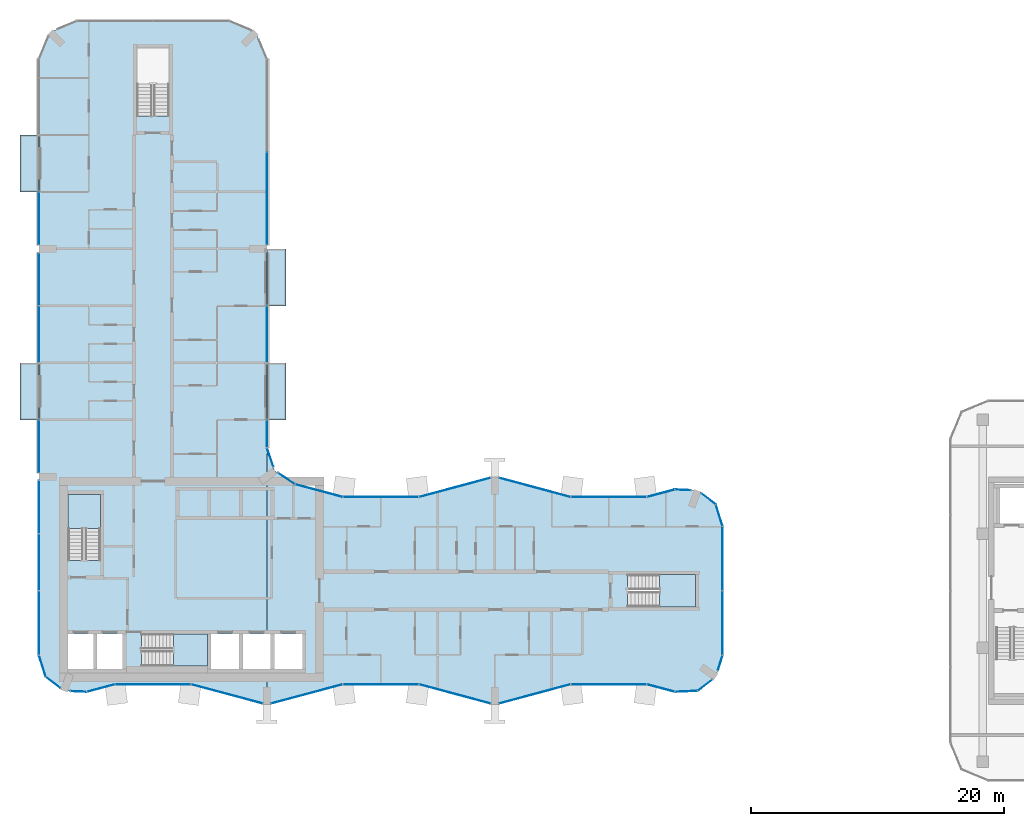
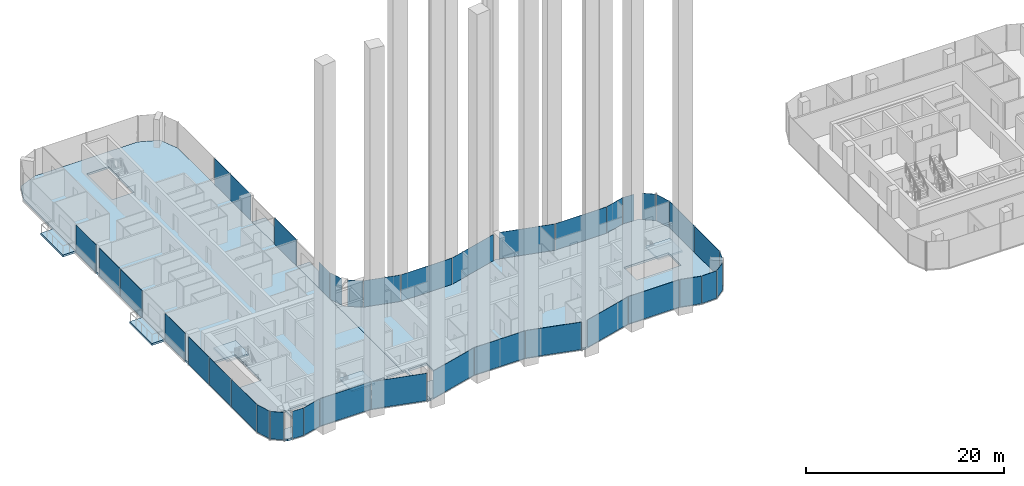
# One storey, part 11 of 27: 38 plates, 9 slabs, 37 elements without a shape of their own.
"""IFC4 building model written with IfcOpenShell, lengths in metres."""

from ifc_helpers import new_model, si_unit, direction, frame, origin, origin_2d, place, context, subcontext, project, spatial, polyline, rectangle, outline, extrude, material, layer, layer_set, type_object, element, aggregate, save


model = new_model("IFC4")

# Units and contexts
model_context = context("Model", 3, precision=1e-05, world=origin(), true_north=direction((0.0, 1.0)))
body_context = subcontext(model_context, "Body", "Model", "MODEL_VIEW")
ifc_project = project(units=[si_unit("LENGTHUNIT", "METRE"), si_unit("AREAUNIT", "SQUARE_METRE"), si_unit("VOLUMEUNIT", "CUBIC_METRE"), si_unit("PLANEANGLEUNIT", "RADIAN"), si_unit("MASSUNIT", "GRAM", prefix="KILO")], contexts=[model_context])

# Site, building, storey
site_placement = place(None, origin())
site = spatial("IfcSite", under=ifc_project, at=site_placement, CompositionType="ELEMENT")
building_placement = place(site_placement, origin())
building = spatial("IfcBuilding", under=site, at=building_placement, Name="Plateau Cross Towers", CompositionType="ELEMENT")
storey_placement = place(building_placement, frame((0.0, 0.0, 78.300048828125)))
storey = spatial("IfcBuildingStorey", under=building, at=storey_placement, Name="L19", CompositionType="ELEMENT", Elevation=78.300048828125)

# Slabs
ifc_material_1 = material(Name="Concrete C40/50", Category="concrete")
ifc_layer_1 = layer(ifc_material_1, 0.25)
ifc_layer_set_1 = layer_set([ifc_layer_1], Name="Concrete C40/50")
slab_type_1 = type_object("IfcSlabType", Name="Balcony slab 250", PredefinedType="FLOOR", material=ifc_layer_set_1)
slab_1_placement = place(storey_placement, frame((0.0, 0.0, -0.25)))
element("IfcSlab", 1, at=slab_1_placement, inside=storey, type_object=slab_type_1, Name="Balcony slab A-BAL-L19-01", PredefinedType="FLOOR", context=body_context, shape_type="SweptSolid", body=[
    extrude(outline(polyline([(0.0, 22.5), (0.0, 27.0), (-1.5, 27.0), (-1.5, 22.5), (0.0, 22.5)])), origin(), (0.0, 0.0, 1.0), 0.25),
])
slab_2_placement = place(storey_placement, frame((0.0, 0.0, -0.25)))
element("IfcSlab", 2, at=slab_2_placement, inside=storey, type_object=slab_type_1, Name="Balcony slab A-BAL-L19-02", PredefinedType="FLOOR", context=body_context, shape_type="SweptSolid", body=[
    extrude(outline(polyline([(0.0, 40.5), (0.0, 45.0), (-1.5, 45.0), (-1.5, 40.5), (0.0, 40.5)])), origin(), (0.0, 0.0, 1.0), 0.25),
])
slab_3_placement = place(storey_placement, frame((0.0, 0.0, -0.25)))
element("IfcSlab", 3, at=slab_3_placement, inside=storey, type_object=slab_type_1, Name="Balcony slab A-BAL-L19-03", PredefinedType="FLOOR", context=body_context, shape_type="SweptSolid", body=[
    extrude(outline(polyline([(19.5, 22.5), (19.5, 27.0), (18.0, 27.0), (18.0, 22.5), (19.5, 22.5)])), origin(), (0.0, 0.0, 1.0), 0.25),
])
slab_4_placement = place(storey_placement, frame((0.0, 0.0, -0.25)))
element("IfcSlab", 4, at=slab_4_placement, inside=storey, type_object=slab_type_1, Name="Balcony slab A-BAL-L19-04", PredefinedType="FLOOR", context=body_context, shape_type="SweptSolid", body=[
    extrude(outline(polyline([(19.5, 31.5), (19.5, 36.0), (18.0, 36.0), (18.0, 31.5), (19.5, 31.5)])), origin(), (0.0, 0.0, 1.0), 0.25),
])

# Curtain wall, plate
ifc_material_2 = material(Name="Dark low-iron glass", Category="glass")
ifc_layer_2 = layer(ifc_material_2, 0.239990234375)
ifc_layer_set_2 = layer_set([ifc_layer_2], Name="Dark low-iron glass")
curtain_wall_type_1 = type_object("IfcCurtainWallType", Name="Curtain wall flush unitised CW-B", PredefinedType="NOTDEFINED", material=ifc_layer_set_2)
curtain_wall_1_placement = place(storey_placement, origin())
curtain_wall_1 = element("IfcCurtainWall", 5, at=curtain_wall_1_placement, inside=storey, type_object=curtain_wall_type_1, Name="ENV/A/L19/A502_10", PredefinedType="NOTDEFINED")
ifc_layer_3 = layer(ifc_material_2, 0.031982421875)
ifc_layer_set_3 = layer_set([ifc_layer_3], Name="Dark low-iron glass")
plate_type_1 = type_object("IfcPlateType", Name="Glass panel 32 flush unitised", PredefinedType="CURTAIN_PANEL", material=ifc_layer_set_3)
plate_1_placement = place(storey_placement, frame((51.125, 1.05078125, -0.1298828125), z_axis=(0.0, 0.0, 1.0), x_axis=(0.999043701491, 0.043722791671, 0.0)))
plate_1 = element("IfcPlate", 6, at=plate_1_placement, type_object=plate_type_1, Name="CW-B panel 1", PredefinedType="CURTAIN_PANEL", context=body_context, shape_type="SweptSolid", body=[
    extrude(rectangle(XDim=1.744140625, YDim=0.031982421875, at=origin_2d()), origin(), (0.0, 0.0, 1.0), 3.3798828125),
])
aggregate(curtain_wall_1, [plate_1])

curtain_wall_2_placement = place(storey_placement, origin())
curtain_wall_2 = element("IfcCurtainWall", 7, at=curtain_wall_2_placement, inside=storey, type_object=curtain_wall_type_1, Name="ENV/A/L19/A520_11", PredefinedType="NOTDEFINED")
plate_2_placement = place(storey_placement, frame((52.60986328125, 1.5380859375, -0.1298828125), z_axis=(0.0, 0.0, 1.0), x_axis=(0.793315514529, 0.608810721331, 0.0)))
plate_2 = element("IfcPlate", 8, at=plate_2_placement, type_object=plate_type_1, Name="CW-B panel 1", PredefinedType="CURTAIN_PANEL", context=body_context, shape_type="SweptSolid", body=[
    extrude(rectangle(XDim=1.41162109375, YDim=0.031982421875, at=origin_2d()), origin(), (0.0, 0.0, 1.0), 3.3798828125),
])
aggregate(curtain_wall_2, [plate_2])

curtain_wall_3_placement = place(storey_placement, origin())
curtain_wall_3 = element("IfcCurtainWall", 9, at=curtain_wall_3_placement, inside=storey, type_object=curtain_wall_type_1, Name="ENV/A/L19/A536_27", PredefinedType="NOTDEFINED")
plate_3_placement = place(storey_placement, frame((53.805419921875, 3.292236328125, -0.1298828125), z_axis=(0.0, 0.0, 1.0), x_axis=(0.300686174994, 0.95372313811, 0.0)))
plate_3 = element("IfcPlate", 10, at=plate_3_placement, type_object=plate_type_1, Name="CW-B panel 1", PredefinedType="CURTAIN_PANEL", context=body_context, shape_type="SweptSolid", body=[
    extrude(rectangle(XDim=1.233642578125, YDim=0.031982421875, at=origin_2d()), origin(), (0.0, 0.0, 1.0), 3.3798828125),
])
aggregate(curtain_wall_3, [plate_3])

# Curtain wall, plates
curtain_wall_4_placement = place(storey_placement, origin())
curtain_wall_4 = element("IfcCurtainWall", 11, at=curtain_wall_4_placement, inside=storey, type_object=curtain_wall_type_1, Name="ENV/A/L19/A540_39", PredefinedType="NOTDEFINED")
plate_4_placement = place(storey_placement, frame((54.0, 6.45458984375, -0.1298828125), z_axis=(0.0, 0.0, 1.0), x_axis=(0.0, 1.0, 0.0)))
plate_4 = element("IfcPlate", 12, at=plate_4_placement, type_object=plate_type_1, Name="CW-B panel 1", PredefinedType="CURTAIN_PANEL", context=body_context, shape_type="SweptSolid", body=[
    extrude(rectangle(XDim=5.03076171875, YDim=0.031982421875, at=origin_2d()), origin(), (0.0, 0.0, 1.0), 3.3798828125),
])
plate_5_placement = place(storey_placement, frame((54.0, 11.54541015625, -0.1298828125), z_axis=(0.0, 0.0, 1.0), x_axis=(0.0, 1.0, 0.0)))
plate_5 = element("IfcPlate", 13, at=plate_5_placement, type_object=plate_type_1, Name="CW-B panel 2", PredefinedType="CURTAIN_PANEL", context=body_context, shape_type="SweptSolid", body=[
    extrude(rectangle(XDim=5.03076171875, YDim=0.031982421875, at=origin_2d()), origin(), (0.0, 0.0, 1.0), 3.3798828125),
])
aggregate(curtain_wall_4, [plate_4, plate_5])

# Curtain wall, plate
curtain_wall_5_placement = place(storey_placement, origin())
curtain_wall_5 = element("IfcCurtainWall", 14, at=curtain_wall_5_placement, inside=storey, type_object=curtain_wall_type_1, Name="ENV/A/L19/A540_141", PredefinedType="NOTDEFINED")
plate_6_placement = place(storey_placement, frame((53.728759765625, 14.951171875, -0.1298828125), z_axis=(0.0, 0.0, 1.0), x_axis=(-0.300686174994, 0.95372313811, 0.0)))
plate_6 = element("IfcPlate", 15, at=plate_6_placement, type_object=plate_type_1, Name="CW-B panel 1", PredefinedType="CURTAIN_PANEL", context=body_context, shape_type="SweptSolid", body=[
    extrude(rectangle(XDim=1.744140625, YDim=0.031982421875, at=origin_2d()), origin(), (0.0, 0.0, 1.0), 3.3798828125),
])
aggregate(curtain_wall_5, [plate_6])

curtain_wall_6_placement = place(storey_placement, origin())
curtain_wall_6 = element("IfcCurtainWall", 16, at=curtain_wall_6_placement, inside=storey, type_object=curtain_wall_type_1, Name="ENV/A/L19/A535_158", PredefinedType="NOTDEFINED")
plate_7_placement = place(storey_placement, frame((52.873779296875, 16.25927734375, -0.1298828125), z_axis=(0.0, 0.0, 1.0), x_axis=(-0.793315514529, 0.608810721331, 0.0)))
plate_7 = element("IfcPlate", 17, at=plate_7_placement, type_object=plate_type_1, Name="CW-B panel 1", PredefinedType="CURTAIN_PANEL", context=body_context, shape_type="SweptSolid", body=[
    extrude(rectangle(XDim=1.41162109375, YDim=0.031982421875, at=origin_2d()), origin(), (0.0, 0.0, 1.0), 3.3798828125),
])
aggregate(curtain_wall_6, [plate_7])

curtain_wall_7_placement = place(storey_placement, origin())
curtain_wall_7 = element("IfcCurtainWall", 18, at=curtain_wall_7_placement, inside=storey, type_object=curtain_wall_type_1, Name="ENV/A/L19/A515_169", PredefinedType="NOTDEFINED")
plate_8_placement = place(storey_placement, frame((50.8701171875, 16.96044921875, -0.1298828125), z_axis=(0.0, 0.0, 1.0), x_axis=(-0.999043701491, 0.043722791671, 0.0)))
plate_8 = element("IfcPlate", 19, at=plate_8_placement, type_object=plate_type_1, Name="CW-B panel 1", PredefinedType="CURTAIN_PANEL", context=body_context, shape_type="SweptSolid", body=[
    extrude(rectangle(XDim=1.233642578125, YDim=0.031982421875, at=origin_2d()), origin(), (0.0, 0.0, 1.0), 3.3798828125),
])
aggregate(curtain_wall_7, [plate_8])

curtain_wall_8_placement = place(storey_placement, origin())
curtain_wall_8 = element("IfcCurtainWall", 20, at=curtain_wall_8_placement, inside=storey, type_object=curtain_wall_type_1, Name="ENV/A/L19/A202_174", PredefinedType="NOTDEFINED")
plate_9_placement = place(storey_placement, frame((19.546630859375, 17.856689453125, -0.1298828125), z_axis=(0.0, 0.0, 1.0), x_axis=(-0.831521253329, 0.555492938984, 0.0)))
plate_9 = element("IfcPlate", 21, at=plate_9_placement, type_object=plate_type_1, Name="CW-B panel 1", PredefinedType="CURTAIN_PANEL", context=body_context, shape_type="SweptSolid", body=[
    extrude(rectangle(XDim=1.56884765625, YDim=0.031982421875, at=origin_2d()), origin(), (0.0, 0.0, 1.0), 3.3798828125),
])
aggregate(curtain_wall_8, [plate_9])

curtain_wall_9_placement = place(storey_placement, origin())
curtain_wall_9 = element("IfcCurtainWall", 22, at=curtain_wall_9_placement, inside=storey, type_object=curtain_wall_type_1, Name="ENV/A/L19/A185_188", PredefinedType="NOTDEFINED")
plate_10_placement = place(storey_placement, frame((18.26171875, 19.531005859375, -0.1298828125), z_axis=(0.0, 0.0, 1.0), x_axis=(-0.321469161574, 0.94692004845, 0.0)))
plate_10 = element("IfcPlate", 23, at=plate_10_placement, type_object=plate_type_1, Name="CW-B panel 1", PredefinedType="CURTAIN_PANEL", context=body_context, shape_type="SweptSolid", body=[
    extrude(rectangle(XDim=1.56884765625, YDim=0.031982421875, at=origin_2d()), origin(), (0.0, 0.0, 1.0), 3.3798828125),
])
aggregate(curtain_wall_9, [plate_10])

curtain_wall_10_placement = place(storey_placement, origin())
curtain_wall_10 = element("IfcCurtainWall", 24, at=curtain_wall_10_placement, inside=storey, type_object=curtain_wall_type_1, Name="ENV/A/L19/A180_203", PredefinedType="NOTDEFINED")
plate_11_placement = place(storey_placement, frame((18.0, 21.396240234375, -0.1298828125), z_axis=(0.0, 0.0, 1.0), x_axis=(0.0, 1.0, 0.0)))
plate_11 = element("IfcPlate", 25, at=plate_11_placement, type_object=plate_type_1, Name="CW-B panel 1", PredefinedType="CURTAIN_PANEL", context=body_context, shape_type="SweptSolid", body=[
    extrude(rectangle(XDim=2.127685546875, YDim=0.031982421875, at=origin_2d()), origin(), (0.0, 0.0, 1.0), 3.3798828125),
])
aggregate(curtain_wall_10, [plate_11])

curtain_wall_11_placement = place(storey_placement, origin())
curtain_wall_11 = element("IfcCurtainWall", 26, at=curtain_wall_11_placement, inside=storey, type_object=curtain_wall_type_1, Name="ENV/A/L19/A180_270", PredefinedType="NOTDEFINED")
plate_12_placement = place(storey_placement, frame((18.0, 29.25, -0.1298828125), z_axis=(0.0, 0.0, 1.0), x_axis=(0.0, 1.0, 0.0)))
plate_12 = element("IfcPlate", 27, at=plate_12_placement, type_object=plate_type_1, Name="CW-B panel 1", PredefinedType="CURTAIN_PANEL", context=body_context, shape_type="SweptSolid", body=[
    extrude(rectangle(XDim=4.419921875, YDim=0.031982421875, at=origin_2d()), origin(), (0.0, 0.0, 1.0), 3.3798828125),
])
aggregate(curtain_wall_11, [plate_12])

curtain_wall_12_placement = place(storey_placement, origin())
curtain_wall_12 = element("IfcCurtainWall", 28, at=curtain_wall_12_placement, inside=storey, type_object=curtain_wall_type_1, Name="ENV/A/L19/A180_363", PredefinedType="NOTDEFINED")
plate_13_placement = place(storey_placement, frame((18.0, 39.97509765625, -0.1298828125), z_axis=(0.0, 0.0, 1.0), x_axis=(0.0, 1.0, 0.0)))
plate_13 = element("IfcPlate", 29, at=plate_13_placement, type_object=plate_type_1, Name="CW-B panel 1", PredefinedType="CURTAIN_PANEL", context=body_context, shape_type="SweptSolid", body=[
    extrude(rectangle(XDim=7.2900390625, YDim=0.031982421875, at=origin_2d()), origin(), (0.0, 0.0, 1.0), 3.3798828125),
])
aggregate(curtain_wall_12, [plate_13])

curtain_wall_13_placement = place(storey_placement, origin())
curtain_wall_13 = element("IfcCurtainWall", 30, at=curtain_wall_13_placement, inside=storey, type_object=curtain_wall_type_1, Name="ENV/A/L19/A0_405", PredefinedType="NOTDEFINED")
plate_14_placement = place(storey_placement, frame((0.0, 38.39501953125, -0.1298828125), z_axis=(0.0, 0.0, 1.0), x_axis=(0.0, -1.0, 0.0)))
plate_14 = element("IfcPlate", 31, at=plate_14_placement, type_object=plate_type_1, Name="CW-B panel 1", PredefinedType="CURTAIN_PANEL", context=body_context, shape_type="SweptSolid", body=[
    extrude(rectangle(XDim=4.1298828125, YDim=0.031982421875, at=origin_2d()), origin(), (0.0, 0.0, 1.0), 3.3798828125),
])
aggregate(curtain_wall_13, [plate_14])

# Curtain wall, plates
curtain_wall_14_placement = place(storey_placement, origin())
curtain_wall_14 = element("IfcCurtainWall", 32, at=curtain_wall_14_placement, inside=storey, type_object=curtain_wall_type_1, Name="ENV/A/L19/A0_357", PredefinedType="NOTDEFINED")
plate_15_placement = place(storey_placement, frame((0.0, 33.60009765625, -0.1298828125), z_axis=(0.0, 0.0, 1.0), x_axis=(0.0, -1.0, 0.0)))
plate_15 = element("IfcPlate", 33, at=plate_15_placement, type_object=plate_type_1, Name="CW-B panel 1", PredefinedType="CURTAIN_PANEL", context=body_context, shape_type="SweptSolid", body=[
    extrude(rectangle(XDim=4.139892578125, YDim=0.031982421875, at=origin_2d()), origin(), (0.0, 0.0, 1.0), 3.3798828125),
])
plate_16_placement = place(storey_placement, frame((0.0, 29.2548828125, -0.1298828125), z_axis=(0.0, 0.0, 1.0), x_axis=(0.0, -1.0, 0.0)))
plate_16 = element("IfcPlate", 34, at=plate_16_placement, type_object=plate_type_1, Name="CW-B panel 2", PredefinedType="CURTAIN_PANEL", context=body_context, shape_type="SweptSolid", body=[
    extrude(rectangle(XDim=4.429931640625, YDim=0.031982421875, at=origin_2d()), origin(), (0.0, 0.0, 1.0), 3.3798828125),
])
aggregate(curtain_wall_14, [plate_15, plate_16])

# Curtain wall, plate
curtain_wall_15_placement = place(storey_placement, origin())
curtain_wall_15 = element("IfcCurtainWall", 35, at=curtain_wall_15_placement, inside=storey, type_object=curtain_wall_type_1, Name="ENV/A/L19/A0_225", PredefinedType="NOTDEFINED")
plate_17_placement = place(storey_placement, frame((0.0, 20.39501953125, -0.1298828125), z_axis=(0.0, 0.0, 1.0), x_axis=(0.0, -1.0, 0.0)))
plate_17 = element("IfcPlate", 36, at=plate_17_placement, type_object=plate_type_1, Name="CW-B panel 1", PredefinedType="CURTAIN_PANEL", context=body_context, shape_type="SweptSolid", body=[
    extrude(rectangle(XDim=4.1298828125, YDim=0.031982421875, at=origin_2d()), origin(), (0.0, 0.0, 1.0), 3.3798828125),
])
aggregate(curtain_wall_15, [plate_17])

# Curtain wall, plates
curtain_wall_16_placement = place(storey_placement, origin())
curtain_wall_16 = element("IfcCurtainWall", 37, at=curtain_wall_16_placement, inside=storey, type_object=curtain_wall_type_1, Name="ENV/A/L19/A0_177", PredefinedType="NOTDEFINED")
plate_18_placement = place(storey_placement, frame((0.0, 15.60009765625, -0.1298828125), z_axis=(0.0, 0.0, 1.0), x_axis=(0.0, -1.0, 0.0)))
plate_18 = element("IfcPlate", 38, at=plate_18_placement, type_object=plate_type_1, Name="CW-B panel 1", PredefinedType="CURTAIN_PANEL", context=body_context, shape_type="SweptSolid", body=[
    extrude(rectangle(XDim=4.139892578125, YDim=0.031982421875, at=origin_2d()), origin(), (0.0, 0.0, 1.0), 3.3798828125),
])
plate_19_placement = place(storey_placement, frame((0.0, 11.25, -0.1298828125), z_axis=(0.0, 0.0, 1.0), x_axis=(0.0, -1.0, 0.0)))
plate_19 = element("IfcPlate", 39, at=plate_19_placement, type_object=plate_type_1, Name="CW-B panel 2", PredefinedType="CURTAIN_PANEL", context=body_context, shape_type="SweptSolid", body=[
    extrude(rectangle(XDim=4.43994140625, YDim=0.031982421875, at=origin_2d()), origin(), (0.0, 0.0, 1.0), 3.3798828125),
])
plate_20_placement = place(storey_placement, frame((0.0, 6.45458984375, -0.1298828125), z_axis=(0.0, 0.0, 1.0), x_axis=(0.0, -1.0, 0.0)))
plate_20 = element("IfcPlate", 40, at=plate_20_placement, type_object=plate_type_1, Name="CW-B panel 3", PredefinedType="CURTAIN_PANEL", context=body_context, shape_type="SweptSolid", body=[
    extrude(rectangle(XDim=5.03076171875, YDim=0.031982421875, at=origin_2d()), origin(), (0.0, 0.0, 1.0), 3.3798828125),
])
aggregate(curtain_wall_16, [plate_18, plate_19, plate_20])

# Curtain wall, plate
curtain_wall_17_placement = place(storey_placement, origin())
curtain_wall_17 = element("IfcCurtainWall", 41, at=curtain_wall_17_placement, inside=storey, type_object=curtain_wall_type_1, Name="ENV/A/L19/A0_39", PredefinedType="NOTDEFINED")
plate_21_placement = place(storey_placement, frame((0.271240234375, 3.048828125, -0.1298828125), z_axis=(0.0, 0.0, 1.0), x_axis=(0.300686174994, -0.95372313811, 0.0)))
plate_21 = element("IfcPlate", 42, at=plate_21_placement, type_object=plate_type_1, Name="CW-B panel 1", PredefinedType="CURTAIN_PANEL", context=body_context, shape_type="SweptSolid", body=[
    extrude(rectangle(XDim=1.744140625, YDim=0.031982421875, at=origin_2d()), origin(), (0.0, 0.0, 1.0), 3.3798828125),
])
aggregate(curtain_wall_17, [plate_21])

curtain_wall_18_placement = place(storey_placement, origin())
curtain_wall_18 = element("IfcCurtainWall", 43, at=curtain_wall_18_placement, inside=storey, type_object=curtain_wall_type_1, Name="ENV/A/L19/A5_22", PredefinedType="NOTDEFINED")
plate_22_placement = place(storey_placement, frame((1.126220703125, 1.74072265625, -0.1298828125), z_axis=(0.0, 0.0, 1.0), x_axis=(0.793315514529, -0.608810721331, 0.0)))
plate_22 = element("IfcPlate", 44, at=plate_22_placement, type_object=plate_type_1, Name="CW-B panel 1", PredefinedType="CURTAIN_PANEL", context=body_context, shape_type="SweptSolid", body=[
    extrude(rectangle(XDim=1.41162109375, YDim=0.031982421875, at=origin_2d()), origin(), (0.0, 0.0, 1.0), 3.3798828125),
])
aggregate(curtain_wall_18, [plate_22])

curtain_wall_19_placement = place(storey_placement, origin())
curtain_wall_19 = element("IfcCurtainWall", 45, at=curtain_wall_19_placement, inside=storey, type_object=curtain_wall_type_1, Name="ENV/A/L19/A25_11", PredefinedType="NOTDEFINED")
plate_23_placement = place(storey_placement, frame((3.1298828125, 1.03955078125, -0.1298828125), z_axis=(0.0, 0.0, 1.0), x_axis=(0.999043701491, -0.043722791671, 0.0)))
plate_23 = element("IfcPlate", 46, at=plate_23_placement, type_object=plate_type_1, Name="CW-B panel 1", PredefinedType="CURTAIN_PANEL", context=body_context, shape_type="SweptSolid", body=[
    extrude(rectangle(XDim=1.233642578125, YDim=0.031982421875, at=origin_2d()), origin(), (0.0, 0.0, 1.0), 3.3798828125),
])
aggregate(curtain_wall_19, [plate_23])

ifc_layer_4 = layer(ifc_material_2, 0.260009765625)
ifc_layer_set_4 = layer_set([ifc_layer_4], Name="Dark low-iron glass")
curtain_wall_type_2 = type_object("IfcCurtainWallType", Name="Curtain wall fluted unitised CW-A", PredefinedType="NOTDEFINED", material=ifc_layer_set_4)
curtain_wall_20_placement = place(storey_placement, origin())
curtain_wall_20 = element("IfcCurtainWall", 47, at=curtain_wall_20_placement, inside=storey, type_object=curtain_wall_type_2, Name="ENV/A/L19/A38_10", PredefinedType="NOTDEFINED")
ifc_layer_5 = layer(ifc_material_2, 0.035888671875)
ifc_layer_set_5 = layer_set([ifc_layer_5], Name="Dark low-iron glass")
plate_type_2 = type_object("IfcPlateType", Name="Glass panel 36 fluted unitised", PredefinedType="CURTAIN_PANEL", material=ifc_layer_set_5)
plate_24_placement = place(storey_placement, frame((4.887939453125, 1.30908203125, -0.1298828125), z_axis=(0.0, 0.0, 1.0), x_axis=(0.965957962328, 0.258699081978, 0.0)))
plate_24 = element("IfcPlate", 48, at=plate_24_placement, type_object=plate_type_2, Name="CW-A panel 1", PredefinedType="CURTAIN_PANEL", context=body_context, shape_type="SweptSolid", body=[
    extrude(rectangle(XDim=2.2421875, YDim=0.035888671875, at=origin_2d()), origin(), (0.0, 0.0, 1.0), 3.3798828125),
])
aggregate(curtain_wall_20, [plate_24])

curtain_wall_21_placement = place(storey_placement, origin())
curtain_wall_21 = element("IfcCurtainWall", 49, at=curtain_wall_21_placement, inside=storey, type_object=curtain_wall_type_2, Name="ENV/A/L19/A60_16", PredefinedType="NOTDEFINED")
plate_25_placement = place(storey_placement, frame((9.0, 1.60693359375, -0.1298828125), z_axis=(0.0, 0.0, 1.0), x_axis=(1.0, 0.0, 0.0)))
plate_25 = element("IfcPlate", 50, at=plate_25_placement, type_object=plate_type_2, Name="CW-A panel 1", PredefinedType="CURTAIN_PANEL", context=body_context, shape_type="SweptSolid", body=[
    extrude(rectangle(XDim=5.93994140625, YDim=0.035888671875, at=origin_2d()), origin(), (0.0, 0.0, 1.0), 3.3798828125),
])
aggregate(curtain_wall_21, [plate_25])

curtain_wall_22_placement = place(storey_placement, origin())
curtain_wall_22 = element("IfcCurtainWall", 51, at=curtain_wall_22_placement, inside=storey, type_object=curtain_wall_type_2, Name="ENV/A/L19/A120_16", PredefinedType="NOTDEFINED")
plate_26_placement = place(storey_placement, frame((14.841064453125, 0.845947265625, -0.1298828125), z_axis=(0.0, 0.0, 1.0), x_axis=(0.965957983404, -0.258699003279, 0.0)))
plate_26 = element("IfcPlate", 52, at=plate_26_placement, type_object=plate_type_2, Name="CW-A panel 1", PredefinedType="CURTAIN_PANEL", context=body_context, shape_type="SweptSolid", body=[
    extrude(rectangle(XDim=5.822265625, YDim=0.035888671875, at=origin_2d()), origin(), (0.0, 0.0, 1.0), 3.3798828125),
])
aggregate(curtain_wall_22, [plate_26])

curtain_wall_23_placement = place(storey_placement, origin())
curtain_wall_23 = element("IfcCurtainWall", 53, at=curtain_wall_23_placement, inside=storey, type_object=curtain_wall_type_2, Name="ENV/A/L19/A183_1", PredefinedType="NOTDEFINED")
plate_27_placement = place(storey_placement, frame((21.158935546875, 0.845947265625, -0.1298828125), z_axis=(0.0, 0.0, 1.0), x_axis=(0.965957983404, 0.258699003279, 0.0)))
plate_27 = element("IfcPlate", 54, at=plate_27_placement, type_object=plate_type_2, Name="CW-A panel 1", PredefinedType="CURTAIN_PANEL", context=body_context, shape_type="SweptSolid", body=[
    extrude(rectangle(XDim=5.822265625, YDim=0.035888671875, at=origin_2d()), origin(), (0.0, 0.0, 1.0), 3.3798828125),
])
aggregate(curtain_wall_23, [plate_27])

curtain_wall_24_placement = place(storey_placement, origin())
curtain_wall_24 = element("IfcCurtainWall", 55, at=curtain_wall_24_placement, inside=storey, type_object=curtain_wall_type_2, Name="ENV/A/L19/A240_16", PredefinedType="NOTDEFINED")
plate_28_placement = place(storey_placement, frame((27.0, 1.60693359375, -0.1298828125), z_axis=(0.0, 0.0, 1.0), x_axis=(1.0, 0.0, 0.0)))
plate_28 = element("IfcPlate", 56, at=plate_28_placement, type_object=plate_type_2, Name="CW-A panel 1", PredefinedType="CURTAIN_PANEL", context=body_context, shape_type="SweptSolid", body=[
    extrude(rectangle(XDim=5.93994140625, YDim=0.035888671875, at=origin_2d()), origin(), (0.0, 0.0, 1.0), 3.3798828125),
])
aggregate(curtain_wall_24, [plate_28])

curtain_wall_25_placement = place(storey_placement, origin())
curtain_wall_25 = element("IfcCurtainWall", 57, at=curtain_wall_25_placement, inside=storey, type_object=curtain_wall_type_2, Name="ENV/A/L19/A300_16", PredefinedType="NOTDEFINED")
plate_29_placement = place(storey_placement, frame((32.841064453125, 0.845947265625, -0.1298828125), z_axis=(0.0, 0.0, 1.0), x_axis=(0.965957983404, -0.258699003279, 0.0)))
plate_29 = element("IfcPlate", 58, at=plate_29_placement, type_object=plate_type_2, Name="CW-A panel 1", PredefinedType="CURTAIN_PANEL", context=body_context, shape_type="SweptSolid", body=[
    extrude(rectangle(XDim=5.822265625, YDim=0.035888671875, at=origin_2d()), origin(), (0.0, 0.0, 1.0), 3.3798828125),
])
aggregate(curtain_wall_25, [plate_29])

curtain_wall_26_placement = place(storey_placement, origin())
curtain_wall_26 = element("IfcCurtainWall", 59, at=curtain_wall_26_placement, inside=storey, type_object=curtain_wall_type_2, Name="ENV/A/L19/A363_1", PredefinedType="NOTDEFINED")
plate_30_placement = place(storey_placement, frame((39.158935546875, 0.845947265625, -0.1298828125), z_axis=(0.0, 0.0, 1.0), x_axis=(0.965957983404, 0.258699003279, 0.0)))
plate_30 = element("IfcPlate", 60, at=plate_30_placement, type_object=plate_type_2, Name="CW-A panel 1", PredefinedType="CURTAIN_PANEL", context=body_context, shape_type="SweptSolid", body=[
    extrude(rectangle(XDim=5.822265625, YDim=0.035888671875, at=origin_2d()), origin(), (0.0, 0.0, 1.0), 3.3798828125),
])
aggregate(curtain_wall_26, [plate_30])

curtain_wall_27_placement = place(storey_placement, origin())
curtain_wall_27 = element("IfcCurtainWall", 61, at=curtain_wall_27_placement, inside=storey, type_object=curtain_wall_type_2, Name="ENV/A/L19/A420_16", PredefinedType="NOTDEFINED")
plate_31_placement = place(storey_placement, frame((45.0, 1.60693359375, -0.1298828125), z_axis=(0.0, 0.0, 1.0), x_axis=(1.0, 0.0, 0.0)))
plate_31 = element("IfcPlate", 62, at=plate_31_placement, type_object=plate_type_2, Name="CW-A panel 1", PredefinedType="CURTAIN_PANEL", context=body_context, shape_type="SweptSolid", body=[
    extrude(rectangle(XDim=5.93994140625, YDim=0.035888671875, at=origin_2d()), origin(), (0.0, 0.0, 1.0), 3.3798828125),
])
aggregate(curtain_wall_27, [plate_31])

curtain_wall_28_placement = place(storey_placement, origin())
curtain_wall_28 = element("IfcCurtainWall", 63, at=curtain_wall_28_placement, inside=storey, type_object=curtain_wall_type_2, Name="ENV/A/L19/A480_16", PredefinedType="NOTDEFINED")
plate_32_placement = place(storey_placement, frame((49.112060546875, 1.30908203125, -0.1298828125), z_axis=(0.0, 0.0, 1.0), x_axis=(0.965957962328, -0.258699081978, 0.0)))
plate_32 = element("IfcPlate", 64, at=plate_32_placement, type_object=plate_type_2, Name="CW-A panel 1", PredefinedType="CURTAIN_PANEL", context=body_context, shape_type="SweptSolid", body=[
    extrude(rectangle(XDim=2.2421875, YDim=0.035888671875, at=origin_2d()), origin(), (0.0, 0.0, 1.0), 3.3798828125),
])
aggregate(curtain_wall_28, [plate_32])

curtain_wall_29_placement = place(storey_placement, origin())
curtain_wall_29 = element("IfcCurtainWall", 65, at=curtain_wall_29_placement, inside=storey, type_object=curtain_wall_type_2, Name="ENV/A/L19/A502_170", PredefinedType="NOTDEFINED")
plate_33_placement = place(storey_placement, frame((49.112060546875, 16.69091796875, -0.1298828125), z_axis=(0.0, 0.0, 1.0), x_axis=(-0.965957962328, -0.258699081978, 0.0)))
plate_33 = element("IfcPlate", 66, at=plate_33_placement, type_object=plate_type_2, Name="CW-A panel 1", PredefinedType="CURTAIN_PANEL", context=body_context, shape_type="SweptSolid", body=[
    extrude(rectangle(XDim=2.2421875, YDim=0.035888671875, at=origin_2d()), origin(), (0.0, 0.0, 1.0), 3.3798828125),
])
aggregate(curtain_wall_29, [plate_33])

curtain_wall_30_placement = place(storey_placement, origin())
curtain_wall_30 = element("IfcCurtainWall", 67, at=curtain_wall_30_placement, inside=storey, type_object=curtain_wall_type_2, Name="ENV/A/L19/A480_164", PredefinedType="NOTDEFINED")
plate_34_placement = place(storey_placement, frame((45.0, 16.39306640625, -0.1298828125), z_axis=(0.0, 0.0, 1.0), x_axis=(-1.0, 0.0, 0.0)))
plate_34 = element("IfcPlate", 68, at=plate_34_placement, type_object=plate_type_2, Name="CW-A panel 1", PredefinedType="CURTAIN_PANEL", context=body_context, shape_type="SweptSolid", body=[
    extrude(rectangle(XDim=5.93994140625, YDim=0.035888671875, at=origin_2d()), origin(), (0.0, 0.0, 1.0), 3.3798828125),
])
aggregate(curtain_wall_30, [plate_34])

curtain_wall_31_placement = place(storey_placement, origin())
curtain_wall_31 = element("IfcCurtainWall", 69, at=curtain_wall_31_placement, inside=storey, type_object=curtain_wall_type_2, Name="ENV/A/L19/A420_164", PredefinedType="NOTDEFINED")
plate_35_placement = place(storey_placement, frame((39.158935546875, 17.154052734375, -0.1298828125), z_axis=(0.0, 0.0, 1.0), x_axis=(-0.965957983404, 0.258699003279, 0.0)))
plate_35 = element("IfcPlate", 70, at=plate_35_placement, type_object=plate_type_2, Name="CW-A panel 1", PredefinedType="CURTAIN_PANEL", context=body_context, shape_type="SweptSolid", body=[
    extrude(rectangle(XDim=5.822265625, YDim=0.035888671875, at=origin_2d()), origin(), (0.0, 0.0, 1.0), 3.3798828125),
])
aggregate(curtain_wall_31, [plate_35])

curtain_wall_32_placement = place(storey_placement, origin())
curtain_wall_32 = element("IfcCurtainWall", 71, at=curtain_wall_32_placement, inside=storey, type_object=curtain_wall_type_2, Name="ENV/A/L19/A357_179", PredefinedType="NOTDEFINED")
plate_36_placement = place(storey_placement, frame((32.841064453125, 17.154052734375, -0.1298828125), z_axis=(0.0, 0.0, 1.0), x_axis=(-0.965957983404, -0.258699003279, 0.0)))
plate_36 = element("IfcPlate", 72, at=plate_36_placement, type_object=plate_type_2, Name="CW-A panel 1", PredefinedType="CURTAIN_PANEL", context=body_context, shape_type="SweptSolid", body=[
    extrude(rectangle(XDim=5.822265625, YDim=0.035888671875, at=origin_2d()), origin(), (0.0, 0.0, 1.0), 3.3798828125),
])
aggregate(curtain_wall_32, [plate_36])

curtain_wall_33_placement = place(storey_placement, origin())
curtain_wall_33 = element("IfcCurtainWall", 73, at=curtain_wall_33_placement, inside=storey, type_object=curtain_wall_type_2, Name="ENV/A/L19/A300_164", PredefinedType="NOTDEFINED")
plate_37_placement = place(storey_placement, frame((27.0, 16.39306640625, -0.1298828125), z_axis=(0.0, 0.0, 1.0), x_axis=(-1.0, 0.0, 0.0)))
plate_37 = element("IfcPlate", 74, at=plate_37_placement, type_object=plate_type_2, Name="CW-A panel 1", PredefinedType="CURTAIN_PANEL", context=body_context, shape_type="SweptSolid", body=[
    extrude(rectangle(XDim=5.93994140625, YDim=0.035888671875, at=origin_2d()), origin(), (0.0, 0.0, 1.0), 3.3798828125),
])
aggregate(curtain_wall_33, [plate_37])

curtain_wall_34_placement = place(storey_placement, origin())
curtain_wall_34 = element("IfcCurtainWall", 75, at=curtain_wall_34_placement, inside=storey, type_object=curtain_wall_type_2, Name="ENV/A/L19/A240_164", PredefinedType="NOTDEFINED")
plate_38_placement = place(storey_placement, frame((22.112060546875, 16.898681640625, -0.1298828125), z_axis=(0.0, 0.0, 1.0), x_axis=(-0.965957995816, 0.258698956933, 0.0)))
plate_38 = element("IfcPlate", 76, at=plate_38_placement, type_object=plate_type_2, Name="CW-A panel 1", PredefinedType="CURTAIN_PANEL", context=body_context, shape_type="SweptSolid", body=[
    extrude(rectangle(XDim=3.84912109375, YDim=0.035888671875, at=origin_2d()), origin(), (0.0, 0.0, 1.0), 3.3798828125),
])
aggregate(curtain_wall_34, [plate_38])

# Slabs
ifc_layer_6 = layer(ifc_material_1, 0.25)
ifc_layer_set_6 = layer_set([ifc_layer_6], Name="Concrete C40/50")
slab_type_2 = type_object("IfcSlabType", Name="Post-tensioned flat plate slab 250", PredefinedType="FLOOR", material=ifc_layer_set_6)
slab_5_placement = place(storey_placement, frame((0.0, 0.0, -0.25)))
element("IfcSlab", 77, at=slab_5_placement, inside=storey, type_object=slab_type_2, Name="SL-A-L19 1", PredefinedType="FLOOR", context=body_context, shape_type="SweptSolid", body=[
    extrude(outline(polyline([(0.54248046875, 2.1884765625), (0.0, 3.9091796875), (0.0, 51.0), (0.878662109375, 53.121337890625), (3.0, 54.0), (15.0, 54.0), (17.121337890625, 53.121337890625), (18.0, 51.0), (18.0, 20.30224609375), (18.0, 5.60009765625), (16.10009765625, 5.60009765625), (16.10009765625, 2.800048828125), (18.0, 2.800048828125), (18.0, 0.0), (12.0, 1.60693359375), (6.0, 1.60693359375), (3.776123046875, 1.01123046875), (1.9736328125, 1.090087890625), (0.54248046875, 2.1884765625)]), holes=[polyline([(4.300048828125, 5.60009765625), (2.300048828125, 5.60009765625), (2.300048828125, 2.800048828125), (4.300048828125, 2.800048828125), (4.300048828125, 5.60009765625)]), polyline([(6.60009765625, 5.60009765625), (4.60009765625, 5.60009765625), (4.60009765625, 2.800048828125), (6.60009765625, 2.800048828125), (6.60009765625, 5.60009765625)]), polyline([(15.800048828125, 5.60009765625), (13.60009765625, 5.60009765625), (13.60009765625, 2.800048828125), (15.800048828125, 2.800048828125), (15.800048828125, 5.60009765625)]), polyline([(13.300048828125, 5.60009765625), (8.10009765625, 5.60009765625), (8.10009765625, 3.050048828125), (13.300048828125, 3.050048828125), (13.300048828125, 5.60009765625)]), polyline([(4.85009765625, 16.60009765625), (2.300048828125, 16.60009765625), (2.300048828125, 11.39990234375), (4.85009765625, 11.39990234375), (4.85009765625, 16.60009765625)]), polyline([(7.72509765625, 51.699951171875), (7.72509765625, 46.5), (10.27490234375, 46.5), (10.27490234375, 51.699951171875), (7.72509765625, 51.699951171875)])]), origin(), (0.0, 0.0, 1.0), 0.25),
])
slab_6_placement = place(storey_placement, frame((0.0, 0.0, -0.25)))
element("IfcSlab", 78, at=slab_6_placement, inside=storey, type_object=slab_type_2, Name="SL-A-L19 2", PredefinedType="FLOOR", context=body_context, shape_type="SweptSolid", body=[
    extrude(outline(polyline([(18.6201171875, 18.475830078125), (20.223876953125, 17.404296875), (24.0, 16.39306640625), (30.0, 16.39306640625), (36.0, 18.0), (42.0, 16.39306640625), (48.0, 16.39306640625), (50.223876953125, 16.98876953125), (52.0263671875, 16.909912109375), (53.45751953125, 15.8115234375), (54.0, 14.0908203125), (54.0, 3.9091796875), (53.45751953125, 2.1884765625), (52.0263671875, 1.090087890625), (50.223876953125, 1.01123046875), (48.0, 1.60693359375), (42.0, 1.60693359375), (36.0, 0.0), (30.0, 1.60693359375), (24.0, 1.60693359375), (18.0, 0.0), (18.0, 2.800048828125), (18.300048828125, 2.800048828125), (18.300048828125, 5.60009765625), (18.0, 5.60009765625), (18.0, 20.30224609375), (18.6201171875, 18.475830078125)]), holes=[polyline([(20.800048828125, 5.60009765625), (18.60009765625, 5.60009765625), (18.60009765625, 2.800048828125), (20.800048828125, 2.800048828125), (20.800048828125, 5.60009765625)]), polyline([(51.699951171875, 7.72509765625), (51.699951171875, 10.27490234375), (46.5, 10.27490234375), (46.5, 7.72509765625), (51.699951171875, 7.72509765625)])]), origin(), (0.0, 0.0, 1.0), 0.25),
])

# Stair, slab
stair_type = type_object("IfcStairType", Name="ST-TWR", PredefinedType="HALF_TURN_STAIR", material=ifc_material_1)
stair_1_placement = place(storey_placement, origin())
stair_1 = element("IfcStair", 79, at=stair_1_placement, inside=storey, type_object=stair_type, Name="L19 Protected Exit Stair ST-1", PredefinedType="HALF_TURN_STAIR")
ifc_layer_7 = layer(ifc_material_1, 0.199951171875)
ifc_layer_set_7 = layer_set([ifc_layer_7], Name="Concrete C40/50")
slab_type_3 = type_object("IfcSlabType", Name="SL-LANDING", PredefinedType="LANDING", material=ifc_layer_set_7)
slab_7_placement = place(storey_placement, frame((0.0, 0.0, 1.550048828125)))
slab_7 = element("IfcSlab", 80, at=slab_7_placement, type_object=slab_type_3, Name="ST-1 landing 1", PredefinedType="LANDING", context=body_context, shape_type="SweptSolid", body=[
    extrude(outline(polyline([(4.85009765625, 13.919921875), (4.85009765625, 16.60009765625), (2.300048828125, 16.60009765625), (2.300048828125, 13.919921875), (4.85009765625, 13.919921875)])), origin(), (0.0, 0.0, 1.0), 0.199951171875),
])
aggregate(stair_1, [slab_7])

stair_2_placement = place(storey_placement, origin())
stair_2 = element("IfcStair", 81, at=stair_2_placement, inside=storey, type_object=stair_type, Name="L19 Protected Exit Stair ST-2", PredefinedType="HALF_TURN_STAIR")
slab_8_placement = place(storey_placement, frame((0.0, 0.0, 1.550048828125)))
slab_8 = element("IfcSlab", 82, at=slab_8_placement, type_object=slab_type_3, Name="ST-2 landing 1", PredefinedType="LANDING", context=body_context, shape_type="SweptSolid", body=[
    extrude(outline(polyline([(10.6201171875, 3.050048828125), (13.300048828125, 3.050048828125), (13.300048828125, 5.60009765625), (10.6201171875, 5.60009765625), (10.6201171875, 3.050048828125)])), origin(), (0.0, 0.0, 1.0), 0.199951171875),
])
aggregate(stair_2, [slab_8])

stair_3_placement = place(storey_placement, origin())
stair_3 = element("IfcStair", 83, at=stair_3_placement, inside=storey, type_object=stair_type, Name="L19 Protected Exit Stair E", PredefinedType="HALF_TURN_STAIR")
slab_9_placement = place(storey_placement, frame((0.0, 0.0, 1.550048828125)))
slab_9 = element("IfcSlab", 84, at=slab_9_placement, type_object=slab_type_3, Name="ES-E landing 1", PredefinedType="LANDING", context=body_context, shape_type="SweptSolid", body=[
    extrude(outline(polyline([(49.02001953125, 7.72509765625), (51.85009765625, 7.72509765625), (51.85009765625, 10.27490234375), (49.02001953125, 10.27490234375), (49.02001953125, 7.72509765625)])), origin(), (0.0, 0.0, 1.0), 0.199951171875),
])
aggregate(stair_3, [slab_9])

save(model, "model.ifc")
